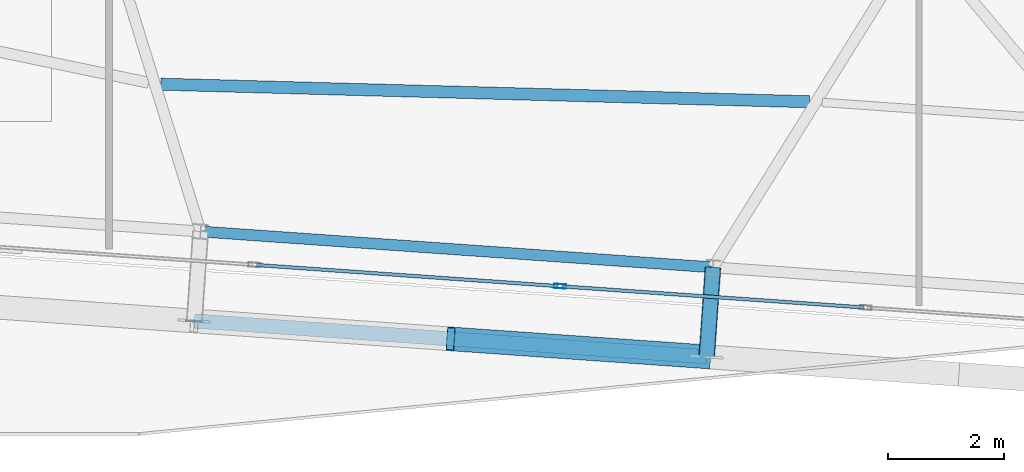
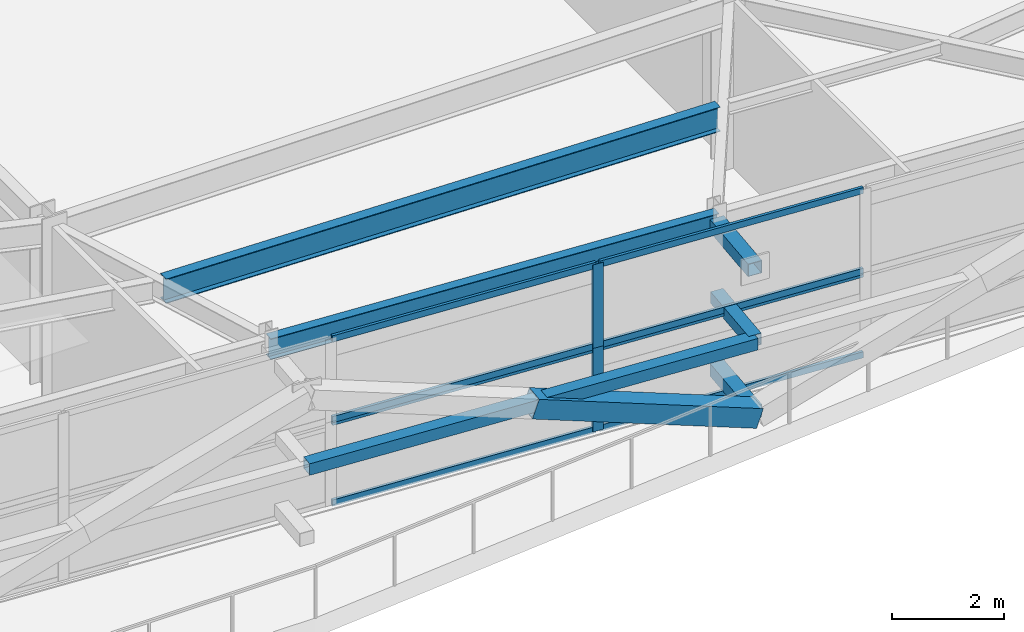
# One storey, part 9 of 36: 15 members, 2 beams, 2 elements without a shape of their own.
"""IFC4 building model written with IfcOpenShell, lengths in metres."""

from ifc_helpers import new_model, si_unit, direction, frame, origin, origin_2d, place, context, subcontext, project, spatial, hollow_rectangle, i_section, extrude, source, transform, mapped, material, layer, layer_set, material_profile, profile_set, type_object, element, aggregate, save


model = new_model("IFC4")

# Units and contexts
model_context = context("Model", 3, precision=1e-05, world=origin(), true_north=direction((0.0, 1.0)))
body_context = subcontext(model_context, "Body", "Model", "MODEL_VIEW")
ifc_project = project(units=[si_unit("LENGTHUNIT", "METRE"), si_unit("AREAUNIT", "SQUARE_METRE"), si_unit("VOLUMEUNIT", "CUBIC_METRE"), si_unit("PLANEANGLEUNIT", "RADIAN"), si_unit("MASSUNIT", "GRAM", prefix="KILO")], contexts=[model_context])

# Site, building, storey
site_placement = place(None, origin())
site = spatial("IfcSite", under=ifc_project, at=site_placement, CompositionType="ELEMENT")
building_placement = place(site_placement, origin())
building = spatial("IfcBuilding", under=site, at=building_placement, Name="Taldren Reach Tower", CompositionType="ELEMENT")
storey_placement = place(building_placement, frame((0.0, 0.0, 116.550048828125)))
storey = spatial("IfcBuildingStorey", under=building, at=storey_placement, Name="L35", CompositionType="ELEMENT", Elevation=116.550048828125)

# Members
ifc_material_1 = material(Name="Steel Gr 450 (C450L0)", Category="steel")
ifc_material_profile_1 = material_profile(ifc_material_1, hollow_rectangle(XDim=0.27490234375, YDim=0.27490234375, WallThickness=0.00927734375, at=origin_2d()), Name="275x275x9.3SHS")
ifc_profile_set_1 = profile_set([ifc_material_profile_1], Name="Steel Gr 450 (C450L0)")
member_type_1 = type_object("IfcMemberType", Name="MB-TIE273", PredefinedType="STRUT", material=ifc_profile_set_1)
shared_shape_1 = source(origin(), body_context, "Body", "SweptSolid", [
    extrude(hollow_rectangle(XDim=0.27490234375, YDim=0.27490234375, WallThickness=0.00927734375, at=origin_2d()), origin(), (0.0, 0.0, 1.0), 1.550048828125),
])
for number, where, z_axis, x_axis, name in (
    (1, (38.438720703125, 3.480224609375, 3.349853515625), (-0.06976957191, -0.99756313426, 0.0), (0.99756313426, -0.06976957191, 0.0), "Exoskeleton diaphragm tie strut B3-S4 L35"),
    (2, (38.438720703125, 3.480224609375, 0.219970703125), (-0.06976957191, -0.99756313426, 0.0), (0.99756313426, -0.06976957191, 0.0), "Exoskeleton base diaphragm tie strut B3-S4 L35"),
):
    element("IfcMember", number, at=place(storey_placement, frame(where, z_axis=z_axis, x_axis=x_axis)), inside=storey, type_object=member_type_1, Name=name, PredefinedType="STRUT", context=body_context, shape_type="MappedRepresentation", body=[
        mapped(shared_shape_1, transform((0.0, 0.0, 0.0), scale=1.0)),
    ])
ifc_material_2 = material(Name="Steel Gr 350 (C350L0)", Category="steel")
ifc_material_profile_2 = material_profile(ifc_material_2, hollow_rectangle(XDim=0.25, YDim=0.25, WallThickness=0.010009765625, at=origin_2d()), Name="250x250x10.0SHS")
ifc_profile_set_2 = profile_set([ifc_material_profile_2], Name="Steel Gr 350 (C350L0)")
member_type_2 = type_object("IfcMemberType", Name="MB-POST250", PredefinedType="POST", material=ifc_profile_set_2)
shared_shape_2 = source(origin(), body_context, "Body", "SweptSolid", [
    extrude(hollow_rectangle(XDim=0.25, YDim=0.25, WallThickness=0.010009765625, at=origin_2d()), origin(), (0.0, 0.0, 1.0), 1.550048828125),
])
member_1_placement = place(storey_placement, frame((38.438720703125, 3.480224609375, 1.784912109375), z_axis=(-0.06976957191, -0.99756313426, 0.0), x_axis=(0.99756313426, -0.06976957191, 0.0)))
element("IfcMember", 3, at=member_1_placement, inside=storey, type_object=member_type_2, Name="Exoskeleton mid-tier diaphragm tie B3-S4 L35", PredefinedType="POST", context=body_context, shape_type="MappedRepresentation", body=[
    mapped(shared_shape_2, transform((0.0, 0.0, 0.0), scale=1.0)),
])

# Beams
ifc_material_3 = material(Name="Steel Gr 350 (350PLUS)", Category="steel")
ifc_material_profile_3 = material_profile(ifc_material_3, i_section(OverallWidth=0.18994140625, OverallDepth=0.4541015625, WebThickness=0.008544921875, FlangeThickness=0.0126953125, at=origin_2d()), Name="460UB67.1")
ifc_profile_set_3 = profile_set([ifc_material_profile_3], Name="Steel Gr 350 (350PLUS)")
beam_type_1 = type_object("IfcBeamType", Name="SP-UB460B", PredefinedType="SPANDREL", material=ifc_profile_set_3)
shared_shape_3 = source(origin(), body_context, "Body", "SweptSolid", [
    extrude(i_section(OverallWidth=0.18994140625, OverallDepth=0.4541015625, WebThickness=0.008544921875, FlangeThickness=0.0126953125, at=origin_2d()), origin(), (0.0, 0.0, 1.0), 8.880126953125),
])
beam_1_placement = place(storey_placement, frame((29.580322265625, 4.099609375, 3.40283203125), z_axis=(0.997564479639, -0.069750333063, 0.0), x_axis=(0.069750333063, 0.997564479639, 0.0)))
element("IfcBeam", 4, at=beam_1_placement, inside=storey, type_object=beam_type_1, Name="Perimeter spandrel B3 S3-S4 L35", PredefinedType="SPANDREL", context=body_context, shape_type="MappedRepresentation", body=[
    mapped(shared_shape_3, transform((0.0, 0.0, 0.0), scale=1.0)),
])
ifc_material_profile_4 = material_profile(ifc_material_3, i_section(OverallWidth=0.208984375, OverallDepth=0.532958984375, WebThickness=0.01025390625, FlangeThickness=0.015625, at=origin_2d()), Name="530UB92.4")
ifc_profile_set_4 = profile_set([ifc_material_profile_4], Name="Steel Gr 350 (350PLUS)")
beam_type_2 = type_object("IfcBeamType", Name="BM-UB530A", PredefinedType="BEAM", material=ifc_profile_set_4)
shared_shape_4 = source(origin(), body_context, "Body", "SweptSolid", [
    extrude(i_section(OverallWidth=0.208984375, OverallDepth=0.532958984375, WebThickness=0.01025390625, FlangeThickness=0.015625, at=origin_2d()), origin(), (0.0, 0.0, 1.0), 11.221923828125),
])
beam_2_placement = place(storey_placement, frame((28.890869140625, 6.64697265625, 3.363525390625), z_axis=(0.999633109536, -0.027085906272, 0.0), x_axis=(0.027085906272, 0.999633109536, 0.0)))
element("IfcBeam", 5, at=beam_2_placement, inside=storey, type_object=beam_type_2, Name="Secondary floor beam B3 J3 L35", PredefinedType="BEAM", context=body_context, shape_type="MappedRepresentation", body=[
    mapped(shared_shape_4, transform((0.0, 0.0, 0.0), scale=1.0)),
])

# Members
ifc_material_profile_5 = material_profile(ifc_material_1, hollow_rectangle(XDim=0.409912109375, YDim=0.409912109375, WallThickness=0.01611328125, at=origin_2d()), Name="410x410x16.0SHS")
ifc_profile_set_5 = profile_set([ifc_material_profile_5], Name="Steel Gr 450 (C450L0)")
member_type_3 = type_object("IfcMemberType", Name="MB-EXO406", PredefinedType="BRACE", material=ifc_profile_set_5)
shared_shape_5 = source(origin(), body_context, "Body", "SweptSolid", [
    extrude(hollow_rectangle(XDim=0.409912109375, YDim=0.409912109375, WallThickness=0.01611328125, at=origin_2d()), origin(), (0.0, 0.0, 1.0), 4.707763671875),
])
member_2_placement = place(storey_placement, frame((38.33056640625, 1.933837890625, 0.219970703125), z_axis=(-0.940833091628, 0.065809568585, 0.332418703414), x_axis=(-0.06977769246, -0.997562566276, 0.0)))
element("IfcMember", 6, at=member_2_placement, inside=storey, type_object=member_type_3, Name="Exoskeleton Diagrid Brace B3-S3 L35", PredefinedType="BRACE", context=body_context, shape_type="MappedRepresentation", body=[
    mapped(shared_shape_5, transform((0.0, 0.0, 0.0), scale=1.0)),
])
shared_shape_6 = source(origin(), body_context, "Body", "SweptSolid", [
    extrude(hollow_rectangle(XDim=0.25, YDim=0.25, WallThickness=0.010009765625, at=origin_2d()), origin(), (0.0, 0.0, 1.0), 8.880126953125),
])
member_3_placement = place(storey_placement, frame((29.47216796875, 2.55322265625, 1.784912109375), z_axis=(0.997564479639, -0.069750333063, 0.0), x_axis=(0.069750333063, 0.997564479639, 0.0)))
element("IfcMember", 7, at=member_3_placement, inside=storey, type_object=member_type_2, Name="Exoskeleton mid-height ring chord B3-S3 L35", PredefinedType="POST", context=body_context, shape_type="MappedRepresentation", body=[
    mapped(shared_shape_6, transform((0.0, 0.0, 0.0), scale=1.0)),
])

# Curtain wall, member
ifc_material_4 = material(Name="Aluminium and Low-E Glass Unitised System", Category="aluminium")
ifc_layer = layer(ifc_material_4, 0.159912109375)
ifc_layer_set = layer_set([ifc_layer], Name="Aluminium and Low-E Glass Unitised System")
curtain_wall_type = type_object("IfcCurtainWallType", Name="CW-SYS-7", PredefinedType="NOTDEFINED", material=ifc_layer_set)
curtain_wall_1_placement = place(storey_placement, origin())
curtain_wall_1 = element("IfcCurtainWall", 8, at=curtain_wall_1_placement, inside=storey, type_object=curtain_wall_type, Name="Unitised curtain wall CW-L35-S2", PredefinedType="NOTDEFINED")
ifc_material_5 = material(Name="Anodised Aluminium 6063-T6", Category="aluminium")
ifc_material_profile_6 = material_profile(ifc_material_5, hollow_rectangle(XDim=0.074951171875, YDim=0.2099609375, WallThickness=0.00439453125, at=origin_2d()), Name="ALU-210x75x4.5RHS")
ifc_profile_set_6 = profile_set([ifc_material_profile_6], Name="Anodised Aluminium 6063-T6")
member_type_4 = type_object("IfcMemberType", Name="CW-MUL-200", PredefinedType="MULLION", material=ifc_profile_set_6)
shared_shape_7 = source(origin(), body_context, "Body", "SweptSolid", [
    extrude(hollow_rectangle(XDim=0.074951171875, YDim=0.2099609375, WallThickness=0.00439453125, at=origin_2d()), origin(), (0.0, 0.0, 1.0), 1.81494140625),
])
member_4_placement = place(storey_placement, frame((35.79443359375, 3.15380859375, 0.0), z_axis=(0.0, 0.0, 1.0), x_axis=(0.069756548088, 0.997564045061, 0.0)))
member_4 = element("IfcMember", 9, at=member_4_placement, type_object=member_type_4, Name="CW-7 mullion 5", PredefinedType="MULLION", context=body_context, shape_type="MappedRepresentation", body=[
    mapped(shared_shape_7, transform((0.0, 0.0, 0.0), scale=1.0)),
])

curtain_wall_2_placement = place(storey_placement, origin())
curtain_wall_2 = element("IfcCurtainWall", 10, at=curtain_wall_2_placement, inside=storey, type_object=curtain_wall_type, Name="Unitised curtain wall CW-L35-S2-T2", PredefinedType="NOTDEFINED")
member_5_placement = place(storey_placement, frame((35.79443359375, 3.15380859375, 1.81494140625), z_axis=(0.0, 0.0, 1.0), x_axis=(0.069756548088, 0.997564045061, 0.0)))
member_5 = element("IfcMember", 11, at=member_5_placement, type_object=member_type_4, Name="CW-7 mullion 5", PredefinedType="MULLION", context=body_context, shape_type="MappedRepresentation", body=[
    mapped(shared_shape_7, transform((0.0, 0.0, 0.0), scale=1.0)),
])

# Member
ifc_material_profile_7 = material_profile(ifc_material_5, hollow_rectangle(XDim=0.06005859375, YDim=0.135009765625, WallThickness=0.00341796875, at=origin_2d()), Name="ALU-135x60x3.5RHS")
ifc_profile_set_7 = profile_set([ifc_material_profile_7], Name="Anodised Aluminium 6063-T6")
member_type_5 = type_object("IfcMemberType", Name="CW-TRN-150", PredefinedType="USERDEFINED", material=ifc_profile_set_7)
shared_shape_8 = source(origin(), body_context, "Body", "SweptSolid", [
    extrude(hollow_rectangle(XDim=0.06005859375, YDim=0.135009765625, WallThickness=0.00341796875, at=origin_2d()), origin(), (0.0, 0.0, 1.0), 5.21875),
])
member_6_placement = place(storey_placement, frame((30.551025390625, 3.5205078125, 0.030029296875), z_axis=(0.997564438731, -0.069750918127, 0.0), x_axis=(0.069750918127, 0.997564438731, 0.0)))
member_6 = element("IfcMember", 12, at=member_6_placement, type_object=member_type_5, Name="CW-7 transom 4.1", ObjectType="TRANSOM", PredefinedType="USERDEFINED", context=body_context, shape_type="MappedRepresentation", body=[
    mapped(shared_shape_8, transform((0.0, 0.0, 0.0), scale=1.0)),
])

member_7_placement = place(storey_placement, frame((30.551025390625, 3.5205078125, 1.784912109375), z_axis=(0.997564438731, -0.069750918127, 0.0), x_axis=(0.069750918127, 0.997564438731, 0.0)))
member_7 = element("IfcMember", 13, at=member_7_placement, type_object=member_type_5, Name="CW-7 transom 4.2", ObjectType="TRANSOM", PredefinedType="USERDEFINED", context=body_context, shape_type="MappedRepresentation", body=[
    mapped(shared_shape_8, transform((0.0, 0.0, 0.0), scale=1.0)),
])

member_8_placement = place(storey_placement, frame((35.831787109375, 3.151123046875, 0.030029296875), z_axis=(0.997564438731, -0.069750918127, 0.0), x_axis=(0.069750918127, 0.997564438731, 0.0)))
member_8 = element("IfcMember", 14, at=member_8_placement, type_object=member_type_5, Name="CW-7 transom 5.1", ObjectType="TRANSOM", PredefinedType="USERDEFINED", context=body_context, shape_type="MappedRepresentation", body=[
    mapped(shared_shape_8, transform((0.0, 0.0, 0.0), scale=1.0)),
])

member_9_placement = place(storey_placement, frame((35.831787109375, 3.151123046875, 1.784912109375), z_axis=(0.997564438731, -0.069750918127, 0.0), x_axis=(0.069750918127, 0.997564438731, 0.0)))
member_9 = element("IfcMember", 15, at=member_9_placement, type_object=member_type_5, Name="CW-7 transom 5.2", ObjectType="TRANSOM", PredefinedType="USERDEFINED", context=body_context, shape_type="MappedRepresentation", body=[
    mapped(shared_shape_8, transform((0.0, 0.0, 0.0), scale=1.0)),
])

aggregate(curtain_wall_1, [member_4, member_6, member_7, member_8, member_9])

member_10_placement = place(storey_placement, frame((30.551025390625, 3.5205078125, 1.844970703125), z_axis=(0.997564438731, -0.069750918127, 0.0), x_axis=(0.069750918127, 0.997564438731, 0.0)))
member_10 = element("IfcMember", 16, at=member_10_placement, type_object=member_type_5, Name="CW-7 transom 4.1", ObjectType="TRANSOM", PredefinedType="USERDEFINED", context=body_context, shape_type="MappedRepresentation", body=[
    mapped(shared_shape_8, transform((0.0, 0.0, 0.0), scale=1.0)),
])

member_11_placement = place(storey_placement, frame((30.551025390625, 3.5205078125, 3.599853515625), z_axis=(0.997564438731, -0.069750918127, 0.0), x_axis=(0.069750918127, 0.997564438731, 0.0)))
member_11 = element("IfcMember", 17, at=member_11_placement, type_object=member_type_5, Name="CW-7 transom 4.2", ObjectType="TRANSOM", PredefinedType="USERDEFINED", context=body_context, shape_type="MappedRepresentation", body=[
    mapped(shared_shape_8, transform((0.0, 0.0, 0.0), scale=1.0)),
])

member_12_placement = place(storey_placement, frame((35.831787109375, 3.151123046875, 1.844970703125), z_axis=(0.997564438731, -0.069750918127, 0.0), x_axis=(0.069750918127, 0.997564438731, 0.0)))
member_12 = element("IfcMember", 18, at=member_12_placement, type_object=member_type_5, Name="CW-7 transom 5.1", ObjectType="TRANSOM", PredefinedType="USERDEFINED", context=body_context, shape_type="MappedRepresentation", body=[
    mapped(shared_shape_8, transform((0.0, 0.0, 0.0), scale=1.0)),
])

member_13_placement = place(storey_placement, frame((35.831787109375, 3.151123046875, 3.599853515625), z_axis=(0.997564438731, -0.069750918127, 0.0), x_axis=(0.069750918127, 0.997564438731, 0.0)))
member_13 = element("IfcMember", 19, at=member_13_placement, type_object=member_type_5, Name="CW-7 transom 5.2", ObjectType="TRANSOM", PredefinedType="USERDEFINED", context=body_context, shape_type="MappedRepresentation", body=[
    mapped(shared_shape_8, transform((0.0, 0.0, 0.0), scale=1.0)),
])

aggregate(curtain_wall_2, [member_5, member_10, member_11, member_12, member_13])

save(model, "model.ifc")
